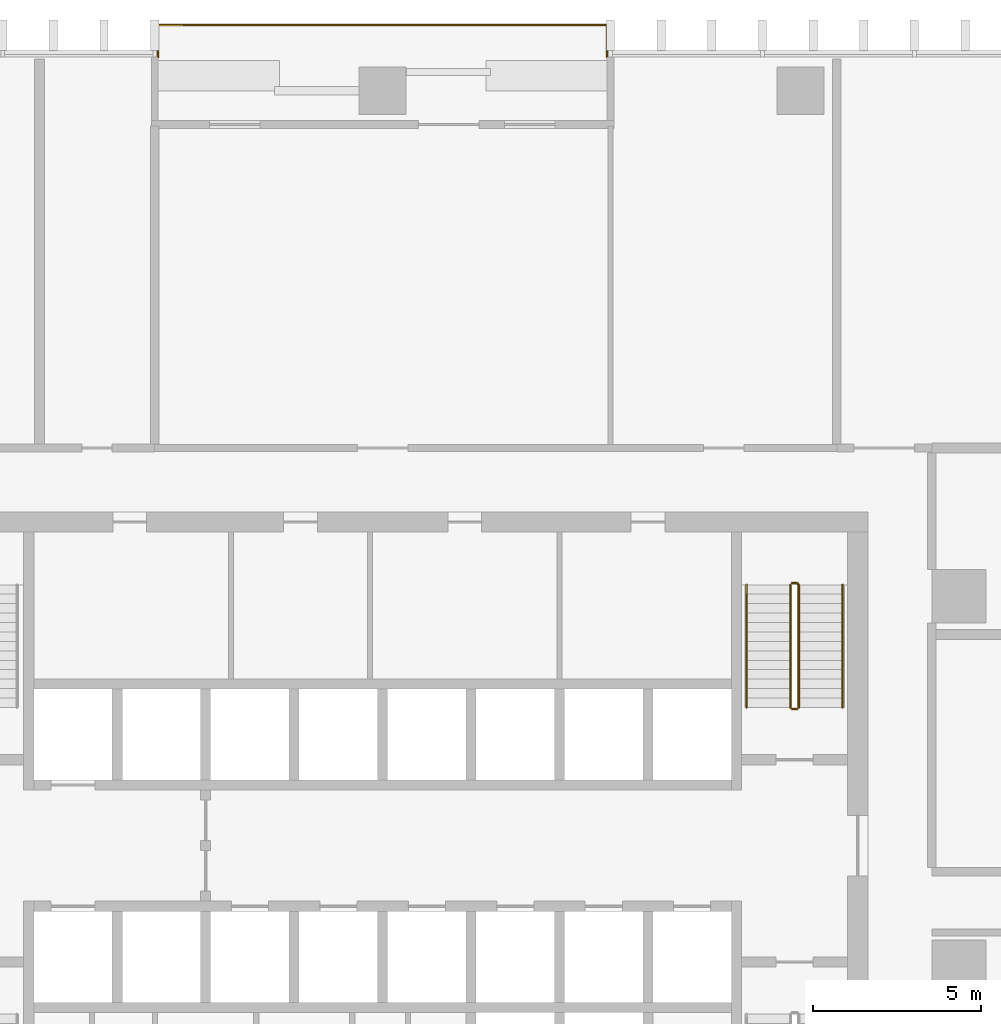
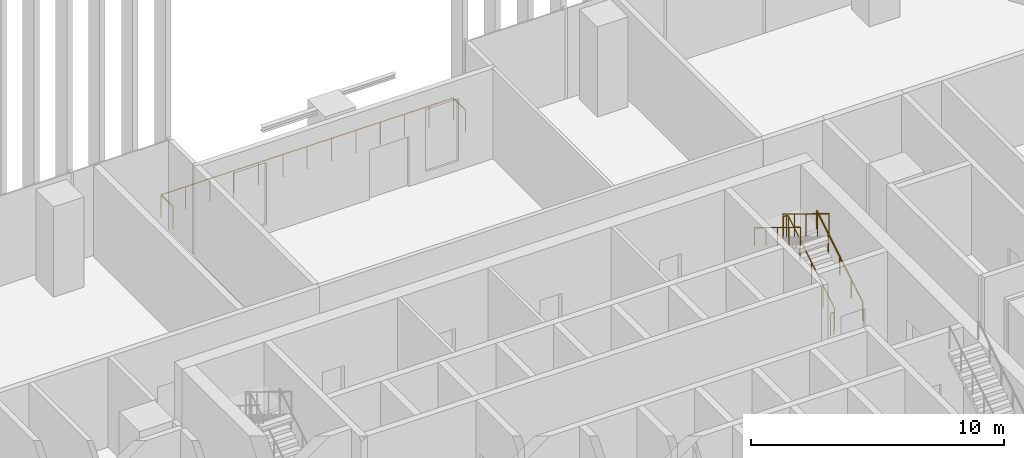
# One storey, part 16 of 17: 6 railings.
"""IFC4 building model written with IfcOpenShell, lengths in metres."""

from ifc_helpers import new_model, si_unit, direction, frame, origin, origin_2d, place, context, subcontext, project, spatial, circle, extrude, material, type_object, element, save


model = new_model("IFC4")

# Units and contexts
model_context = context("Model", 3, precision=1e-05, world=origin(), true_north=direction((0.0, 1.0)))
body_context = subcontext(model_context, "Body", "Model", "MODEL_VIEW")
ifc_project = project(units=[si_unit("LENGTHUNIT", "METRE"), si_unit("AREAUNIT", "SQUARE_METRE"), si_unit("VOLUMEUNIT", "CUBIC_METRE"), si_unit("PLANEANGLEUNIT", "RADIAN"), si_unit("MASSUNIT", "GRAM", prefix="KILO")], contexts=[model_context])

# Site, building, storey
site_placement = place(None, origin())
site = spatial("IfcSite", under=ifc_project, at=site_placement, CompositionType="ELEMENT")
building_placement = place(site_placement, origin())
building = spatial("IfcBuilding", under=site, at=building_placement, Name="Mopane Tessera Tower", CompositionType="ELEMENT")
storey_placement = place(building_placement, frame((0.0, 0.0, 31.0)))
storey = spatial("IfcBuildingStorey", under=building, at=storey_placement, Name="L05", CompositionType="ELEMENT", Elevation=31.0)

# Railings
ifc_material_1 = material(Name="Powder-coated steel balustrade", Category="steel")
railing_type_1 = type_object("IfcRailingType", Name="Escape stair guard 1100 mm", PredefinedType="GUARDRAIL", material=ifc_material_1)
railing_1_placement = place(storey_placement, frame((12.35009765625, 7.699951171875, 0.17138671875)))
element("IfcRailing", 1, at=railing_1_placement, inside=storey, type_object=railing_type_1, Name="L05 ST4 stair guard 1", PredefinedType="GUARDRAIL", context=body_context, shape_type="SweptSolid", body=[
    extrude(circle(Radius=0.02392578125, at=origin_2d()), frame((0.0, 0.0, 1.076171875), z_axis=(0.0, 0.852865859571, 0.52213008492), x_axis=(-1.0, 0.0, 0.0)), (0.0, 0.0, 1.0), 4.26806640625),
    extrude(circle(Radius=0.02392578125, at=origin_2d()), frame((0.0, 3.64013671875, 3.3046875), z_axis=(-0.708833529934, 0.705375805398, 0.0), x_axis=(-0.705375805398, -0.708833529934, 0.0)), (0.0, 0.0, 1.0), 0.070556640625),
    extrude(circle(Radius=0.02392578125, at=origin_2d()), frame((-0.050048828125, 3.68994140625, 3.3046875), z_axis=(-1.0, 0.0, 0.0), x_axis=(0.0, -1.0, 0.0)), (0.0, 0.0, 1.0), 0.150146484375),
    extrude(circle(Radius=0.02099609375, at=origin_2d()), origin(), (0.0, 0.0, 1.0), 1.052001953125),
    extrude(circle(Radius=0.02099609375, at=origin_2d()), frame((0.0, 0.91015625, 0.55712890625)), (0.0, 0.0, 1.0), 1.052001953125),
    extrude(circle(Radius=0.02099609375, at=origin_2d()), frame((0.0, 1.820068359375, 1.1142578125)), (0.0, 0.0, 1.0), 1.052001953125),
    extrude(circle(Radius=0.02099609375, at=origin_2d()), frame((0.0, 2.72998046875, 1.67138671875)), (0.0, 0.0, 1.0), 1.052001953125),
    extrude(circle(Radius=0.02099609375, at=origin_2d()), frame((0.0, 3.64013671875, 2.228515625)), (0.0, 0.0, 1.0), 1.052001953125),
    extrude(circle(Radius=0.02099609375, at=origin_2d()), frame((-0.050048828125, 3.68994140625, 2.228515625)), (0.0, 0.0, 1.0), 1.052001953125),
    extrude(circle(Radius=0.02099609375, at=origin_2d()), frame((-0.2001953125, 3.68994140625, 2.228515625)), (0.0, 0.0, 1.0), 1.052001953125),
])
railing_2_placement = place(storey_placement, frame((12.10009765625, 11.340087890625, 2.571533203125)))
element("IfcRailing", 2, at=railing_2_placement, inside=storey, type_object=railing_type_1, Name="L05 ST4 stair guard 2", PredefinedType="GUARDRAIL", context=body_context, shape_type="SweptSolid", body=[
    extrude(circle(Radius=0.02392578125, at=origin_2d()), frame((0.0, 0.0, 1.076171875), z_axis=(0.0, -0.852865859571, 0.52213008492), x_axis=(1.0, 0.0, 0.0)), (0.0, 0.0, 1.0), 4.26806640625),
    extrude(circle(Radius=0.02099609375, at=origin_2d()), origin(), (0.0, 0.0, 1.0), 1.052001953125),
    extrude(circle(Radius=0.02099609375, at=origin_2d()), frame((0.0, -0.91015625, 0.55712890625)), (0.0, 0.0, 1.0), 1.052001953125),
    extrude(circle(Radius=0.02099609375, at=origin_2d()), frame((0.0, -1.820068359375, 1.1142578125)), (0.0, 0.0, 1.0), 1.052001953125),
    extrude(circle(Radius=0.02099609375, at=origin_2d()), frame((0.0, -2.72998046875, 1.67138671875)), (0.0, 0.0, 1.0), 1.052001953125),
    extrude(circle(Radius=0.02099609375, at=origin_2d()), frame((0.0, -3.64013671875, 2.228515625)), (0.0, 0.0, 1.0), 1.052001953125),
])
railing_3_placement = place(storey_placement, frame((12.300048828125, 7.64990234375, 0.0)))
element("IfcRailing", 3, at=railing_3_placement, inside=storey, type_object=railing_type_1, Name="L05 ST4 stair guard 3", PredefinedType="GUARDRAIL", context=body_context, shape_type="SweptSolid", body=[
    extrude(circle(Radius=0.02392578125, at=origin_2d()), frame((0.0, 0.0, 1.076171875), z_axis=(-1.0, 0.0, 0.0), x_axis=(0.0, -1.0, 0.0)), (0.0, 0.0, 1.0), 0.150146484375),
    extrude(circle(Radius=0.02099609375, at=origin_2d()), origin(), (0.0, 0.0, 1.0), 1.052001953125),
    extrude(circle(Radius=0.02099609375, at=origin_2d()), frame((-0.150146484375, 0.0, 0.0)), (0.0, 0.0, 1.0), 1.052001953125),
])
ifc_material_2 = material(Name="Powder-coated steel balustrade", Category="steel")
railing_type_2 = type_object("IfcRailingType", Name="Escape stair handrail 900 mm", PredefinedType="HANDRAIL", material=ifc_material_2)
railing_4_placement = place(storey_placement, frame((13.64990234375, 7.699951171875, 0.17138671875)))
element("IfcRailing", 4, at=railing_4_placement, inside=storey, type_object=railing_type_2, Name="L05 ST4 stair handrail 1", PredefinedType="HANDRAIL", context=body_context, shape_type="SweptSolid", body=[
    extrude(circle(Radius=0.02392578125, at=origin_2d()), frame((0.0, 0.0, 0.8759765625), z_axis=(0.0, 0.852865859571, 0.52213008492), x_axis=(-1.0, 0.0, 0.0)), (0.0, 0.0, 1.0), 4.26806640625),
    extrude(circle(Radius=0.02099609375, at=origin_2d()), origin(), (0.0, 0.0, 1.0), 0.851806640625),
    extrude(circle(Radius=0.02099609375, at=origin_2d()), frame((0.0, 0.91015625, 0.55712890625)), (0.0, 0.0, 1.0), 0.851806640625),
    extrude(circle(Radius=0.02099609375, at=origin_2d()), frame((0.0, 1.820068359375, 1.1142578125)), (0.0, 0.0, 1.0), 0.851806640625),
    extrude(circle(Radius=0.02099609375, at=origin_2d()), frame((0.0, 2.72998046875, 1.67138671875)), (0.0, 0.0, 1.0), 0.851806640625),
    extrude(circle(Radius=0.02099609375, at=origin_2d()), frame((0.0, 3.64013671875, 2.228515625)), (0.0, 0.0, 1.0), 0.851806640625),
])
railing_5_placement = place(storey_placement, frame((10.800048828125, 11.340087890625, 2.571533203125)))
element("IfcRailing", 5, at=railing_5_placement, inside=storey, type_object=railing_type_2, Name="L05 ST4 stair handrail 2", PredefinedType="HANDRAIL", context=body_context, shape_type="SweptSolid", body=[
    extrude(circle(Radius=0.02392578125, at=origin_2d()), frame((0.0, 0.0, 0.8759765625), z_axis=(0.0, -0.852865859571, 0.52213008492), x_axis=(1.0, 0.0, 0.0)), (0.0, 0.0, 1.0), 4.26806640625),
    extrude(circle(Radius=0.02099609375, at=origin_2d()), origin(), (0.0, 0.0, 1.0), 0.851806640625),
    extrude(circle(Radius=0.02099609375, at=origin_2d()), frame((0.0, -0.91015625, 0.55712890625)), (0.0, 0.0, 1.0), 0.851806640625),
    extrude(circle(Radius=0.02099609375, at=origin_2d()), frame((0.0, -1.820068359375, 1.1142578125)), (0.0, 0.0, 1.0), 0.851806640625),
    extrude(circle(Radius=0.02099609375, at=origin_2d()), frame((0.0, -2.72998046875, 1.67138671875)), (0.0, 0.0, 1.0), 0.851806640625),
    extrude(circle(Radius=0.02099609375, at=origin_2d()), frame((0.0, -3.64013671875, 2.228515625)), (0.0, 0.0, 1.0), 0.851806640625),
])
ifc_material_3 = material(Name="Stainless steel S316", Category="steel")
railing_type_3 = type_object("IfcRailingType", Name="Terrace guard 1100", PredefinedType="GUARDRAIL", material=ifc_material_3)
railing_6_placement = place(storey_placement, frame((6.66357421875, 27.0, 0.0)))
element("IfcRailing", 6, at=railing_6_placement, inside=storey, type_object=railing_type_3, Name="e:nw:L05:N2:guard", PredefinedType="GUARDRAIL", context=body_context, shape_type="SweptSolid", body=[
    extrude(circle(Radius=0.02392578125, at=origin_2d()), frame((0.0, 0.0, 1.076171875), z_axis=(0.0, 1.0, 0.0), x_axis=(-1.0, 0.0, 0.0)), (0.0, 0.0, 1.0), 0.949951171875),
    extrude(circle(Radius=0.02392578125, at=origin_2d()), frame((0.0, 0.949951171875, 1.076171875), z_axis=(-1.0, 0.0, 0.0), x_axis=(0.0, -1.0, 0.0)), (0.0, 0.0, 1.0), 13.3271484375),
    extrude(circle(Radius=0.02392578125, at=origin_2d()), frame((-13.3271484375, 0.949951171875, 1.076171875), z_axis=(0.0, -1.0, 0.0), x_axis=(1.0, 0.0, 0.0)), (0.0, 0.0, 1.0), 0.949951171875),
    extrude(circle(Radius=0.02099609375, at=origin_2d()), origin(), (0.0, 0.0, 1.0), 1.052001953125),
    extrude(circle(Radius=0.02099609375, at=origin_2d()), frame((0.0, 0.949951171875, 0.0)), (0.0, 0.0, 1.0), 1.052001953125),
    extrude(circle(Radius=0.02099609375, at=origin_2d()), frame((-1.110595703125, 0.949951171875, 0.0)), (0.0, 0.0, 1.0), 1.052001953125),
    extrude(circle(Radius=0.02099609375, at=origin_2d()), frame((-2.22119140625, 0.949951171875, 0.0)), (0.0, 0.0, 1.0), 1.052001953125),
    extrude(circle(Radius=0.02099609375, at=origin_2d()), frame((-3.331787109375, 0.949951171875, 0.0)), (0.0, 0.0, 1.0), 1.052001953125),
    extrude(circle(Radius=0.02099609375, at=origin_2d()), frame((-4.4423828125, 0.949951171875, 0.0)), (0.0, 0.0, 1.0), 1.052001953125),
    extrude(circle(Radius=0.02099609375, at=origin_2d()), frame((-5.552978515625, 0.949951171875, 0.0)), (0.0, 0.0, 1.0), 1.052001953125),
    extrude(circle(Radius=0.02099609375, at=origin_2d()), frame((-6.66357421875, 0.949951171875, 0.0)), (0.0, 0.0, 1.0), 1.052001953125),
    extrude(circle(Radius=0.02099609375, at=origin_2d()), frame((-7.774169921875, 0.949951171875, 0.0)), (0.0, 0.0, 1.0), 1.052001953125),
    extrude(circle(Radius=0.02099609375, at=origin_2d()), frame((-8.884765625, 0.949951171875, 0.0)), (0.0, 0.0, 1.0), 1.052001953125),
    extrude(circle(Radius=0.02099609375, at=origin_2d()), frame((-9.995361328125, 0.949951171875, 0.0)), (0.0, 0.0, 1.0), 1.052001953125),
    extrude(circle(Radius=0.02099609375, at=origin_2d()), frame((-11.10595703125, 0.949951171875, 0.0)), (0.0, 0.0, 1.0), 1.052001953125),
    extrude(circle(Radius=0.02099609375, at=origin_2d()), frame((-12.216552734375, 0.949951171875, 0.0)), (0.0, 0.0, 1.0), 1.052001953125),
    extrude(circle(Radius=0.02099609375, at=origin_2d()), frame((-13.3271484375, 0.949951171875, 0.0)), (0.0, 0.0, 1.0), 1.052001953125),
    extrude(circle(Radius=0.02099609375, at=origin_2d()), frame((-13.3271484375, 0.0, 0.0)), (0.0, 0.0, 1.0), 1.052001953125),
])

save(model, "model.ifc")
